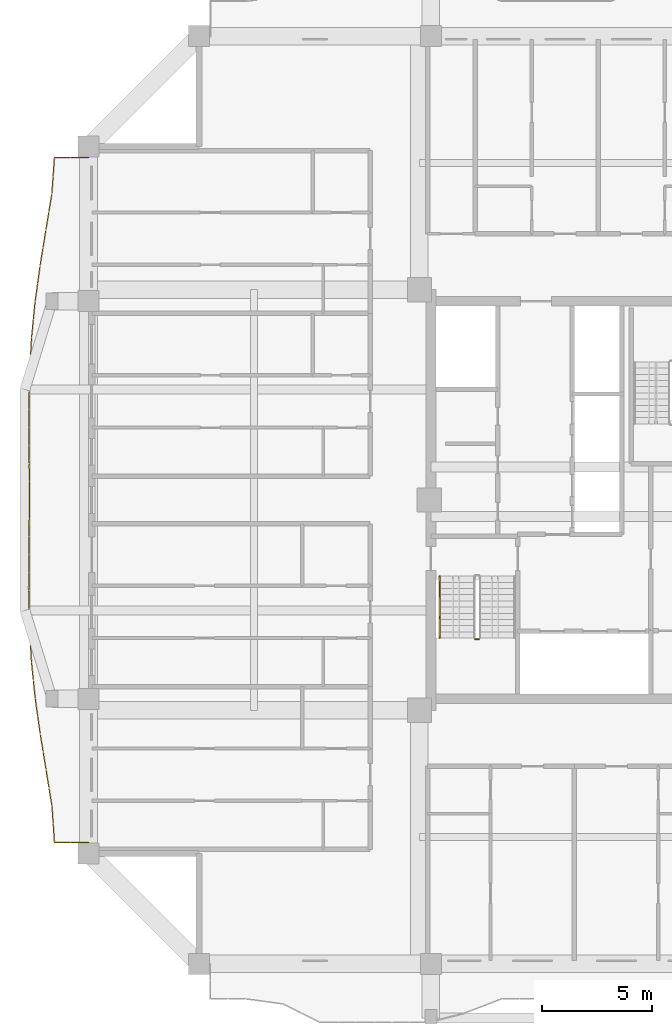
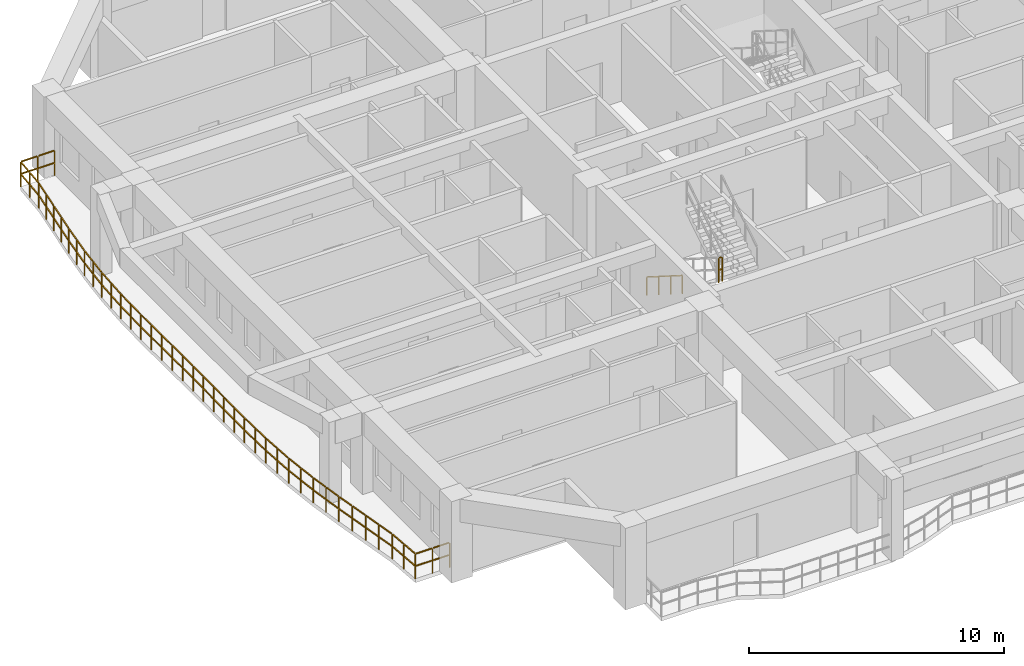
# One storey, part 12 of 15: 3 railings.
"""IFC4 building model written with IfcOpenShell, lengths in metres."""

from ifc_helpers import new_model, si_unit, direction, frame, origin, origin_2d, place, context, subcontext, project, spatial, rectangle, extrude, material, type_object, element, save


model = new_model("IFC4")

# Units and contexts
model_context = context("Model", 3, precision=1e-05, world=origin(), true_north=direction((0.0, 1.0)))
body_context = subcontext(model_context, "Body", "Model", "MODEL_VIEW")
ifc_project = project(units=[si_unit("LENGTHUNIT", "METRE"), si_unit("AREAUNIT", "SQUARE_METRE"), si_unit("VOLUMEUNIT", "CUBIC_METRE"), si_unit("PLANEANGLEUNIT", "RADIAN"), si_unit("MASSUNIT", "GRAM", prefix="KILO")], contexts=[model_context])

# Site, building, storey
site_placement = place(None, origin())
site = spatial("IfcSite", under=ifc_project, at=site_placement, CompositionType="ELEMENT")
building_placement = place(site_placement, origin())
building = spatial("IfcBuilding", under=site, at=building_placement, Name="Saelheon Loggia Tower", CompositionType="ELEMENT")
storey_placement = place(building_placement, frame((0.0, 0.0, 159.10009765625)))
storey = spatial("IfcBuildingStorey", under=building, at=storey_placement, Name="L50", CompositionType="ELEMENT", Elevation=159.10009765625)

# Railings
ifc_material_1 = material(Name="Architectural Precast Concrete and Laminated Glass Guard", Category="concrete")
railing_type_1 = type_object("IfcRailingType", Name="Guard_Loggia_RL_LOG", PredefinedType="BALUSTRADE", material=ifc_material_1)
railing_1_placement = place(storey_placement, frame((16.0, 42.5, 0.0)))
element("IfcRailing", 1, at=railing_1_placement, inside=storey, type_object=railing_type_1, Name="L50 West Loggia Balustrade", PredefinedType="BALUSTRADE", context=body_context, shape_type="SweptSolid", body=[
    extrude(rectangle(XDim=0.048095703125, YDim=0.048095703125, at=origin_2d()), frame((-0.033203125, 0.0, 1.19580078125), z_axis=(-1.0, 0.0, 0.0), x_axis=(0.0, -1.0, 0.0)), (0.0, 0.0, 1.0), 0.70849609375),
    extrude(rectangle(XDim=0.048095703125, YDim=0.048095703125, at=origin_2d()), frame((-0.033203125, 0.0, 0.60986328125), z_axis=(-1.0, 0.0, 0.0), x_axis=(0.0, -1.0, 0.0)), (0.0, 0.0, 1.0), 0.70849609375),
    extrude(rectangle(XDim=0.048095703125, YDim=0.048095703125, at=origin_2d()), frame((-0.808349609375, 0.0, 1.19580078125), z_axis=(-1.0, 0.0, 0.0), x_axis=(0.0, -1.0, 0.0)), (0.0, 0.0, 1.0), 0.70849609375),
    extrude(rectangle(XDim=0.048095703125, YDim=0.048095703125, at=origin_2d()), frame((-0.808349609375, 0.0, 0.60986328125), z_axis=(-1.0, 0.0, 0.0), x_axis=(0.0, -1.0, 0.0)), (0.0, 0.0, 1.0), 0.70849609375),
    extrude(rectangle(XDim=0.048095703125, YDim=0.048095703125, at=origin_2d()), frame((-1.552490234375, -0.033203125, 1.19580078125), z_axis=(-0.071491000488, -0.997441244811, 0.0), x_axis=(0.997441244811, -0.071491000488, 0.0)), (0.0, 0.0, 1.0), 0.75146484375),
    extrude(rectangle(XDim=0.048095703125, YDim=0.048095703125, at=origin_2d()), frame((-1.552490234375, -0.033203125, 0.60986328125), z_axis=(-0.071491000488, -0.997441244811, 0.0), x_axis=(0.997441244811, -0.071491000488, 0.0)), (0.0, 0.0, 1.0), 0.75146484375),
    extrude(rectangle(XDim=0.048095703125, YDim=0.048095703125, at=origin_2d()), frame((-1.61083984375, -0.848876953125, 1.19580078125), z_axis=(-0.071491000488, -0.997441244811, 0.0), x_axis=(0.997441244811, -0.071491000488, 0.0)), (0.0, 0.0, 1.0), 0.75146484375),
    extrude(rectangle(XDim=0.048095703125, YDim=0.048095703125, at=origin_2d()), frame((-1.61083984375, -0.848876953125, 0.60986328125), z_axis=(-0.071491000488, -0.997441244811, 0.0), x_axis=(0.997441244811, -0.071491000488, 0.0)), (0.0, 0.0, 1.0), 0.75146484375),
    extrude(rectangle(XDim=0.048095703125, YDim=0.048095703125, at=origin_2d()), frame((-1.67236328125, -1.664306640625, 1.19580078125), z_axis=(-0.161980105363, -0.98679402383, 0.0), x_axis=(0.98679402383, -0.161980105363, 0.0)), (0.0, 0.0, 1.0), 0.76025390625),
    extrude(rectangle(XDim=0.048095703125, YDim=0.048095703125, at=origin_2d()), frame((-1.67236328125, -1.664306640625, 0.60986328125), z_axis=(-0.161980105363, -0.98679402383, 0.0), x_axis=(0.98679402383, -0.161980105363, 0.0)), (0.0, 0.0, 1.0), 0.76025390625),
    extrude(rectangle(XDim=0.048095703125, YDim=0.048095703125, at=origin_2d()), frame((-1.806396484375, -2.480224609375, 1.19580078125), z_axis=(-0.161980105363, -0.98679402383, 0.0), x_axis=(0.98679402383, -0.161980105363, 0.0)), (0.0, 0.0, 1.0), 0.76025390625),
    extrude(rectangle(XDim=0.048095703125, YDim=0.048095703125, at=origin_2d()), frame((-1.806396484375, -2.480224609375, 0.60986328125), z_axis=(-0.161980105363, -0.98679402383, 0.0), x_axis=(0.98679402383, -0.161980105363, 0.0)), (0.0, 0.0, 1.0), 0.76025390625),
    extrude(rectangle(XDim=0.048095703125, YDim=0.048095703125, at=origin_2d()), frame((-1.940185546875, -3.2958984375, 1.19580078125), z_axis=(-0.160685639946, -0.987005635807, 0.0), x_axis=(0.987005635807, -0.160685639946, 0.0)), (0.0, 0.0, 1.0), 0.760009765625),
    extrude(rectangle(XDim=0.048095703125, YDim=0.048095703125, at=origin_2d()), frame((-1.940185546875, -3.2958984375, 0.60986328125), z_axis=(-0.160685639946, -0.987005635807, 0.0), x_axis=(0.987005635807, -0.160685639946, 0.0)), (0.0, 0.0, 1.0), 0.760009765625),
    extrude(rectangle(XDim=0.048095703125, YDim=0.048095703125, at=origin_2d()), frame((-2.072998046875, -4.11181640625, 1.19580078125), z_axis=(-0.160685639946, -0.987005635807, 0.0), x_axis=(0.987005635807, -0.160685639946, 0.0)), (0.0, 0.0, 1.0), 0.760009765625),
    extrude(rectangle(XDim=0.048095703125, YDim=0.048095703125, at=origin_2d()), frame((-2.072998046875, -4.11181640625, 0.60986328125), z_axis=(-0.160685639946, -0.987005635807, 0.0), x_axis=(0.987005635807, -0.160685639946, 0.0)), (0.0, 0.0, 1.0), 0.760009765625),
    extrude(rectangle(XDim=0.048095703125, YDim=0.048095703125, at=origin_2d()), frame((-2.205078125, -4.927734375, 1.19580078125), z_axis=(-0.137394685749, -0.990516380646, 0.0), x_axis=(0.990516380646, -0.137394685749, 0.0)), (0.0, 0.0, 1.0), 0.757080078125),
    extrude(rectangle(XDim=0.048095703125, YDim=0.048095703125, at=origin_2d()), frame((-2.205078125, -4.927734375, 0.60986328125), z_axis=(-0.137394685749, -0.990516380646, 0.0), x_axis=(0.990516380646, -0.137394685749, 0.0)), (0.0, 0.0, 1.0), 0.757080078125),
    extrude(rectangle(XDim=0.048095703125, YDim=0.048095703125, at=origin_2d()), frame((-2.318115234375, -5.743408203125, 1.19580078125), z_axis=(-0.137394685749, -0.990516380646, 0.0), x_axis=(0.990516380646, -0.137394685749, 0.0)), (0.0, 0.0, 1.0), 0.757080078125),
    extrude(rectangle(XDim=0.048095703125, YDim=0.048095703125, at=origin_2d()), frame((-2.318115234375, -5.743408203125, 0.60986328125), z_axis=(-0.137394685749, -0.990516380646, 0.0), x_axis=(0.990516380646, -0.137394685749, 0.0)), (0.0, 0.0, 1.0), 0.757080078125),
    extrude(rectangle(XDim=0.048095703125, YDim=0.048095703125, at=origin_2d()), frame((-2.429931640625, -6.559326171875, 1.19580078125), z_axis=(-0.097542502009, -0.995231360188, 0.0), x_axis=(0.995231360188, -0.097542502009, 0.0)), (0.0, 0.0, 1.0), 0.753173828125),
    extrude(rectangle(XDim=0.048095703125, YDim=0.048095703125, at=origin_2d()), frame((-2.429931640625, -6.559326171875, 0.60986328125), z_axis=(-0.097542502009, -0.995231360188, 0.0), x_axis=(0.995231360188, -0.097542502009, 0.0)), (0.0, 0.0, 1.0), 0.753173828125),
    extrude(rectangle(XDim=0.048095703125, YDim=0.048095703125, at=origin_2d()), frame((-2.510009765625, -7.375244140625, 1.19580078125), z_axis=(-0.097542502009, -0.995231360188, 0.0), x_axis=(0.995231360188, -0.097542502009, 0.0)), (0.0, 0.0, 1.0), 0.753173828125),
    extrude(rectangle(XDim=0.048095703125, YDim=0.048095703125, at=origin_2d()), frame((-2.510009765625, -7.375244140625, 0.60986328125), z_axis=(-0.097542502009, -0.995231360188, 0.0), x_axis=(0.995231360188, -0.097542502009, 0.0)), (0.0, 0.0, 1.0), 0.753173828125),
    extrude(rectangle(XDim=0.048095703125, YDim=0.048095703125, at=origin_2d()), frame((-2.58837890625, -8.191162109375, 1.19580078125), z_axis=(-0.052598047159, -0.998615764664, 0.0), x_axis=(0.998615764664, -0.052598047159, 0.0)), (0.0, 0.0, 1.0), 0.75048828125),
    extrude(rectangle(XDim=0.048095703125, YDim=0.048095703125, at=origin_2d()), frame((-2.58837890625, -8.191162109375, 0.60986328125), z_axis=(-0.052598047159, -0.998615764664, 0.0), x_axis=(0.998615764664, -0.052598047159, 0.0)), (0.0, 0.0, 1.0), 0.75048828125),
    extrude(rectangle(XDim=0.048095703125, YDim=0.048095703125, at=origin_2d()), frame((-2.63134765625, -9.0068359375, 1.19580078125), z_axis=(-0.052598047159, -0.998615764664, 0.0), x_axis=(0.998615764664, -0.052598047159, 0.0)), (0.0, 0.0, 1.0), 0.75048828125),
    extrude(rectangle(XDim=0.048095703125, YDim=0.048095703125, at=origin_2d()), frame((-2.63134765625, -9.0068359375, 0.60986328125), z_axis=(-0.052598047159, -0.998615764664, 0.0), x_axis=(0.998615764664, -0.052598047159, 0.0)), (0.0, 0.0, 1.0), 0.75048828125),
    extrude(rectangle(XDim=0.048095703125, YDim=0.048095703125, at=origin_2d()), frame((-2.673095703125, -9.82275390625, 1.19580078125), z_axis=(-0.015859145444, -0.999874235845, 0.0), x_axis=(0.999874235845, -0.015859145444, 0.0)), (0.0, 0.0, 1.0), 0.74951171875),
    extrude(rectangle(XDim=0.048095703125, YDim=0.048095703125, at=origin_2d()), frame((-2.673095703125, -9.82275390625, 0.60986328125), z_axis=(-0.015859145444, -0.999874235845, 0.0), x_axis=(0.999874235845, -0.015859145444, 0.0)), (0.0, 0.0, 1.0), 0.74951171875),
    extrude(rectangle(XDim=0.048095703125, YDim=0.048095703125, at=origin_2d()), frame((-2.68603515625, -10.638671875, 1.19580078125), z_axis=(-0.015859145444, -0.999874235845, 0.0), x_axis=(0.999874235845, -0.015859145444, 0.0)), (0.0, 0.0, 1.0), 0.74951171875),
    extrude(rectangle(XDim=0.048095703125, YDim=0.048095703125, at=origin_2d()), frame((-2.68603515625, -10.638671875, 0.60986328125), z_axis=(-0.015859145444, -0.999874235845, 0.0), x_axis=(0.999874235845, -0.015859145444, 0.0)), (0.0, 0.0, 1.0), 0.74951171875),
    extrude(rectangle(XDim=0.048095703125, YDim=0.048095703125, at=origin_2d()), frame((-2.6982421875, -11.454345703125, 1.19580078125), z_axis=(0.004339977086, -0.999990582255, 0.0), x_axis=(0.999990582255, 0.004339977086, 0.0)), (0.0, 0.0, 1.0), 0.749267578125),
    extrude(rectangle(XDim=0.048095703125, YDim=0.048095703125, at=origin_2d()), frame((-2.6982421875, -11.454345703125, 0.60986328125), z_axis=(0.004339977086, -0.999990582255, 0.0), x_axis=(0.999990582255, 0.004339977086, 0.0)), (0.0, 0.0, 1.0), 0.749267578125),
    extrude(rectangle(XDim=0.048095703125, YDim=0.048095703125, at=origin_2d()), frame((-2.69482421875, -12.27001953125, 1.19580078125), z_axis=(0.004339977086, -0.999990582255, 0.0), x_axis=(0.999990582255, 0.004339977086, 0.0)), (0.0, 0.0, 1.0), 0.749267578125),
    extrude(rectangle(XDim=0.048095703125, YDim=0.048095703125, at=origin_2d()), frame((-2.69482421875, -12.27001953125, 0.60986328125), z_axis=(0.004339977086, -0.999990582255, 0.0), x_axis=(0.999990582255, 0.004339977086, 0.0)), (0.0, 0.0, 1.0), 0.749267578125),
    extrude(rectangle(XDim=0.048095703125, YDim=0.048095703125, at=origin_2d()), frame((-2.691162109375, -13.085693359375, 1.19580078125), z_axis=(0.006583726828, -0.999978327036, 0.0), x_axis=(0.999978327036, 0.006583726828, 0.0)), (0.0, 0.0, 1.0), 0.749267578125),
    extrude(rectangle(XDim=0.048095703125, YDim=0.048095703125, at=origin_2d()), frame((-2.691162109375, -13.085693359375, 0.60986328125), z_axis=(0.006583726828, -0.999978327036, 0.0), x_axis=(0.999978327036, 0.006583726828, 0.0)), (0.0, 0.0, 1.0), 0.749267578125),
    extrude(rectangle(XDim=0.048095703125, YDim=0.048095703125, at=origin_2d()), frame((-2.685791015625, -13.901611328125, 1.19580078125), z_axis=(0.006583726828, -0.999978327036, 0.0), x_axis=(0.999978327036, 0.006583726828, 0.0)), (0.0, 0.0, 1.0), 0.749267578125),
    extrude(rectangle(XDim=0.048095703125, YDim=0.048095703125, at=origin_2d()), frame((-2.685791015625, -13.901611328125, 0.60986328125), z_axis=(0.006583726828, -0.999978327036, 0.0), x_axis=(0.999978327036, 0.006583726828, 0.0)), (0.0, 0.0, 1.0), 0.749267578125),
    extrude(rectangle(XDim=0.048095703125, YDim=0.048095703125, at=origin_2d()), frame((-2.6806640625, -14.71728515625, 1.19580078125), z_axis=(-0.001944939469, -0.999998108603, 0.0), x_axis=(0.999998108603, -0.001944939469, 0.0)), (0.0, 0.0, 1.0), 0.74951171875),
    extrude(rectangle(XDim=0.048095703125, YDim=0.048095703125, at=origin_2d()), frame((-2.6806640625, -14.71728515625, 0.60986328125), z_axis=(-0.001944939469, -0.999998108603, 0.0), x_axis=(0.999998108603, -0.001944939469, 0.0)), (0.0, 0.0, 1.0), 0.74951171875),
    extrude(rectangle(XDim=0.048095703125, YDim=0.048095703125, at=origin_2d()), frame((-2.682373046875, -15.533203125, 1.19580078125), z_axis=(-0.001944939469, -0.999998108603, 0.0), x_axis=(0.999998108603, -0.001944939469, 0.0)), (0.0, 0.0, 1.0), 0.74951171875),
    extrude(rectangle(XDim=0.048095703125, YDim=0.048095703125, at=origin_2d()), frame((-2.682373046875, -15.533203125, 0.60986328125), z_axis=(-0.001944939469, -0.999998108603, 0.0), x_axis=(0.999998108603, -0.001944939469, 0.0)), (0.0, 0.0, 1.0), 0.74951171875),
    extrude(rectangle(XDim=0.048095703125, YDim=0.048095703125, at=origin_2d()), frame((-2.68408203125, -16.34912109375, 1.19580078125), z_axis=(-0.009725710874, -0.999952704156, 0.0), x_axis=(0.999952704156, -0.009725710874, 0.0)), (0.0, 0.0, 1.0), 0.749267578125),
    extrude(rectangle(XDim=0.048095703125, YDim=0.048095703125, at=origin_2d()), frame((-2.68408203125, -16.34912109375, 0.60986328125), z_axis=(-0.009725710874, -0.999952704156, 0.0), x_axis=(0.999952704156, -0.009725710874, 0.0)), (0.0, 0.0, 1.0), 0.749267578125),
    extrude(rectangle(XDim=0.048095703125, YDim=0.048095703125, at=origin_2d()), frame((-2.692138671875, -17.1650390625, 1.19580078125), z_axis=(-0.009725710874, -0.999952704156, 0.0), x_axis=(0.999952704156, -0.009725710874, 0.0)), (0.0, 0.0, 1.0), 0.749267578125),
    extrude(rectangle(XDim=0.048095703125, YDim=0.048095703125, at=origin_2d()), frame((-2.692138671875, -17.1650390625, 0.60986328125), z_axis=(-0.009725710874, -0.999952704156, 0.0), x_axis=(0.999952704156, -0.009725710874, 0.0)), (0.0, 0.0, 1.0), 0.749267578125),
    extrude(rectangle(XDim=0.048095703125, YDim=0.048095703125, at=origin_2d()), frame((-2.699951171875, -17.980712890625, 1.19580078125), z_axis=(-0.005237880856, -0.999986282208, 0.0), x_axis=(0.999986282208, -0.005237880856, 0.0)), (0.0, 0.0, 1.0), 0.749267578125),
    extrude(rectangle(XDim=0.048095703125, YDim=0.048095703125, at=origin_2d()), frame((-2.699951171875, -17.980712890625, 0.60986328125), z_axis=(-0.005237880856, -0.999986282208, 0.0), x_axis=(0.999986282208, -0.005237880856, 0.0)), (0.0, 0.0, 1.0), 0.749267578125),
    extrude(rectangle(XDim=0.048095703125, YDim=0.048095703125, at=origin_2d()), frame((-2.7041015625, -18.79638671875, 1.19580078125), z_axis=(-0.005237880856, -0.999986282208, 0.0), x_axis=(0.999986282208, -0.005237880856, 0.0)), (0.0, 0.0, 1.0), 0.749267578125),
    extrude(rectangle(XDim=0.048095703125, YDim=0.048095703125, at=origin_2d()), frame((-2.7041015625, -18.79638671875, 0.60986328125), z_axis=(-0.005237880856, -0.999986282208, 0.0), x_axis=(0.999986282208, -0.005237880856, 0.0)), (0.0, 0.0, 1.0), 0.749267578125),
    extrude(rectangle(XDim=0.048095703125, YDim=0.048095703125, at=origin_2d()), frame((-2.707763671875, -19.612060546875, 1.19580078125), z_axis=(0.017354860032, -0.999849393075, 0.0), x_axis=(0.999849393075, 0.017354860032, 0.0)), (0.0, 0.0, 1.0), 0.74951171875),
    extrude(rectangle(XDim=0.048095703125, YDim=0.048095703125, at=origin_2d()), frame((-2.707763671875, -19.612060546875, 0.60986328125), z_axis=(0.017354860032, -0.999849393075, 0.0), x_axis=(0.999849393075, 0.017354860032, 0.0)), (0.0, 0.0, 1.0), 0.74951171875),
    extrude(rectangle(XDim=0.048095703125, YDim=0.048095703125, at=origin_2d()), frame((-2.693603515625, -20.427978515625, 1.19580078125), z_axis=(0.017354860032, -0.999849393075, 0.0), x_axis=(0.999849393075, 0.017354860032, 0.0)), (0.0, 0.0, 1.0), 0.74951171875),
    extrude(rectangle(XDim=0.048095703125, YDim=0.048095703125, at=origin_2d()), frame((-2.693603515625, -20.427978515625, 0.60986328125), z_axis=(0.017354860032, -0.999849393075, 0.0), x_axis=(0.999849393075, 0.017354860032, 0.0)), (0.0, 0.0, 1.0), 0.74951171875),
    extrude(rectangle(XDim=0.048095703125, YDim=0.048095703125, at=origin_2d()), frame((-2.677978515625, -21.24365234375, 1.19580078125), z_axis=(0.056024393999, -0.998429400247, 0.0), x_axis=(0.998429400247, 0.056024393999, 0.0)), (0.0, 0.0, 1.0), 0.750732421875),
    extrude(rectangle(XDim=0.048095703125, YDim=0.048095703125, at=origin_2d()), frame((-2.677978515625, -21.24365234375, 0.60986328125), z_axis=(0.056024393999, -0.998429400247, 0.0), x_axis=(0.998429400247, 0.056024393999, 0.0)), (0.0, 0.0, 1.0), 0.750732421875),
    extrude(rectangle(XDim=0.048095703125, YDim=0.048095703125, at=origin_2d()), frame((-2.63232421875, -22.059326171875, 1.19580078125), z_axis=(0.056024393999, -0.998429400247, 0.0), x_axis=(0.998429400247, 0.056024393999, 0.0)), (0.0, 0.0, 1.0), 0.750732421875),
    extrude(rectangle(XDim=0.048095703125, YDim=0.048095703125, at=origin_2d()), frame((-2.63232421875, -22.059326171875, 0.60986328125), z_axis=(0.056024393999, -0.998429400247, 0.0), x_axis=(0.998429400247, 0.056024393999, 0.0)), (0.0, 0.0, 1.0), 0.750732421875),
    extrude(rectangle(XDim=0.048095703125, YDim=0.048095703125, at=origin_2d()), frame((-2.5849609375, -22.875, 1.19580078125), z_axis=(0.101228042651, -0.994863248583, 0.0), x_axis=(0.994863248583, 0.101228042651, 0.0)), (0.0, 0.0, 1.0), 0.75341796875),
    extrude(rectangle(XDim=0.048095703125, YDim=0.048095703125, at=origin_2d()), frame((-2.5849609375, -22.875, 0.60986328125), z_axis=(0.101228042651, -0.994863248583, 0.0), x_axis=(0.994863248583, 0.101228042651, 0.0)), (0.0, 0.0, 1.0), 0.75341796875),
    extrude(rectangle(XDim=0.048095703125, YDim=0.048095703125, at=origin_2d()), frame((-2.501953125, -23.69091796875, 1.19580078125), z_axis=(0.101228042651, -0.994863248583, 0.0), x_axis=(0.994863248583, 0.101228042651, 0.0)), (0.0, 0.0, 1.0), 0.75341796875),
    extrude(rectangle(XDim=0.048095703125, YDim=0.048095703125, at=origin_2d()), frame((-2.501953125, -23.69091796875, 0.60986328125), z_axis=(0.101228042651, -0.994863248583, 0.0), x_axis=(0.994863248583, 0.101228042651, 0.0)), (0.0, 0.0, 1.0), 0.75341796875),
    extrude(rectangle(XDim=0.048095703125, YDim=0.048095703125, at=origin_2d()), frame((-2.417724609375, -24.506591796875, 1.19580078125), z_axis=(0.140010734184, -0.990149985766, 0.0), x_axis=(0.990149985766, 0.140010734184, 0.0)), (0.0, 0.0, 1.0), 0.75732421875),
    extrude(rectangle(XDim=0.048095703125, YDim=0.048095703125, at=origin_2d()), frame((-2.417724609375, -24.506591796875, 0.60986328125), z_axis=(0.140010734184, -0.990149985766, 0.0), x_axis=(0.990149985766, 0.140010734184, 0.0)), (0.0, 0.0, 1.0), 0.75732421875),
    extrude(rectangle(XDim=0.048095703125, YDim=0.048095703125, at=origin_2d()), frame((-2.30224609375, -25.322265625, 1.19580078125), z_axis=(0.140010734184, -0.990149985766, 0.0), x_axis=(0.990149985766, 0.140010734184, 0.0)), (0.0, 0.0, 1.0), 0.75732421875),
    extrude(rectangle(XDim=0.048095703125, YDim=0.048095703125, at=origin_2d()), frame((-2.30224609375, -25.322265625, 0.60986328125), z_axis=(0.140010734184, -0.990149985766, 0.0), x_axis=(0.990149985766, 0.140010734184, 0.0)), (0.0, 0.0, 1.0), 0.75732421875),
    extrude(rectangle(XDim=0.048095703125, YDim=0.048095703125, at=origin_2d()), frame((-2.186279296875, -26.137939453125, 1.19580078125), z_axis=(0.161117220902, -0.986935277072, 0.0), x_axis=(0.986935277072, 0.161117220902, 0.0)), (0.0, 0.0, 1.0), 0.760009765625),
    extrude(rectangle(XDim=0.048095703125, YDim=0.048095703125, at=origin_2d()), frame((-2.186279296875, -26.137939453125, 0.60986328125), z_axis=(0.161117220902, -0.986935277072, 0.0), x_axis=(0.986935277072, 0.161117220902, 0.0)), (0.0, 0.0, 1.0), 0.760009765625),
    extrude(rectangle(XDim=0.048095703125, YDim=0.048095703125, at=origin_2d()), frame((-2.05322265625, -26.953857421875, 1.19580078125), z_axis=(0.161117220902, -0.986935277072, 0.0), x_axis=(0.986935277072, 0.161117220902, 0.0)), (0.0, 0.0, 1.0), 0.760009765625),
    extrude(rectangle(XDim=0.048095703125, YDim=0.048095703125, at=origin_2d()), frame((-2.05322265625, -26.953857421875, 0.60986328125), z_axis=(0.161117220902, -0.986935277072, 0.0), x_axis=(0.986935277072, 0.161117220902, 0.0)), (0.0, 0.0, 1.0), 0.760009765625),
    extrude(rectangle(XDim=0.048095703125, YDim=0.048095703125, at=origin_2d()), frame((-1.919921875, -27.76953125, 1.19580078125), z_axis=(0.160110055306, -0.98709916938, 0.0), x_axis=(0.98709916938, 0.160110055306, 0.0)), (0.0, 0.0, 1.0), 0.760009765625),
    extrude(rectangle(XDim=0.048095703125, YDim=0.048095703125, at=origin_2d()), frame((-1.919921875, -27.76953125, 0.60986328125), z_axis=(0.160110055306, -0.98709916938, 0.0), x_axis=(0.98709916938, 0.160110055306, 0.0)), (0.0, 0.0, 1.0), 0.760009765625),
    extrude(rectangle(XDim=0.048095703125, YDim=0.048095703125, at=origin_2d()), frame((-1.78759765625, -28.58544921875, 1.19580078125), z_axis=(0.160110055306, -0.98709916938, 0.0), x_axis=(0.98709916938, 0.160110055306, 0.0)), (0.0, 0.0, 1.0), 0.760009765625),
    extrude(rectangle(XDim=0.048095703125, YDim=0.048095703125, at=origin_2d()), frame((-1.78759765625, -28.58544921875, 0.60986328125), z_axis=(0.160110055306, -0.98709916938, 0.0), x_axis=(0.98709916938, 0.160110055306, 0.0)), (0.0, 0.0, 1.0), 0.760009765625),
    extrude(rectangle(XDim=0.048095703125, YDim=0.048095703125, at=origin_2d()), frame((-1.658447265625, -29.401611328125, 1.19580078125), z_axis=(0.067628741853, -0.99771055586, 0.0), x_axis=(0.99771055586, 0.067628741853, 0.0)), (0.0, 0.0, 1.0), 0.751220703125),
    extrude(rectangle(XDim=0.048095703125, YDim=0.048095703125, at=origin_2d()), frame((-1.658447265625, -29.401611328125, 0.60986328125), z_axis=(0.067628741853, -0.99771055586, 0.0), x_axis=(0.99771055586, 0.067628741853, 0.0)), (0.0, 0.0, 1.0), 0.751220703125),
    extrude(rectangle(XDim=0.048095703125, YDim=0.048095703125, at=origin_2d()), frame((-1.60302734375, -30.21728515625, 1.19580078125), z_axis=(0.067628741853, -0.99771055586, 0.0), x_axis=(0.99771055586, 0.067628741853, 0.0)), (0.0, 0.0, 1.0), 0.751220703125),
    extrude(rectangle(XDim=0.048095703125, YDim=0.048095703125, at=origin_2d()), frame((-1.60302734375, -30.21728515625, 0.60986328125), z_axis=(0.067628741853, -0.99771055586, 0.0), x_axis=(0.99771055586, 0.067628741853, 0.0)), (0.0, 0.0, 1.0), 0.751220703125),
    extrude(rectangle(XDim=0.048095703125, YDim=0.048095703125, at=origin_2d()), frame((-1.516845703125, -31.0, 1.19580078125), z_axis=(1.0, 0.0, 0.0), x_axis=(0.0, 1.0, 0.0)), (0.0, 0.0, 1.0), 0.70849609375),
    extrude(rectangle(XDim=0.048095703125, YDim=0.048095703125, at=origin_2d()), frame((-1.516845703125, -31.0, 0.60986328125), z_axis=(1.0, 0.0, 0.0), x_axis=(0.0, 1.0, 0.0)), (0.0, 0.0, 1.0), 0.70849609375),
    extrude(rectangle(XDim=0.048095703125, YDim=0.048095703125, at=origin_2d()), frame((-0.74169921875, -31.0, 1.19580078125), z_axis=(1.0, 0.0, 0.0), x_axis=(0.0, 1.0, 0.0)), (0.0, 0.0, 1.0), 0.70849609375),
    extrude(rectangle(XDim=0.048095703125, YDim=0.048095703125, at=origin_2d()), frame((-0.74169921875, -31.0, 0.60986328125), z_axis=(1.0, 0.0, 0.0), x_axis=(0.0, 1.0, 0.0)), (0.0, 0.0, 1.0), 0.70849609375),
    extrude(rectangle(XDim=0.0419921875, YDim=0.0419921875, at=origin_2d()), origin(), (0.0, 0.0, 1.0), 1.16796875),
    extrude(rectangle(XDim=0.0419921875, YDim=0.0419921875, at=origin_2d()), frame((-0.77490234375, 0.0, 0.0)), (0.0, 0.0, 1.0), 1.16796875),
    extrude(rectangle(XDim=0.0419921875, YDim=0.0419921875, at=origin_2d()), frame((-1.550048828125, 0.0, 0.0)), (0.0, 0.0, 1.0), 1.16796875),
    extrude(rectangle(XDim=0.0419921875, YDim=0.0419921875, at=origin_2d()), frame((-1.6083984375, -0.81591796875, 0.0)), (0.0, 0.0, 1.0), 1.16796875),
    extrude(rectangle(XDim=0.0419921875, YDim=0.0419921875, at=origin_2d()), frame((-1.6669921875, -1.631591796875, 0.0)), (0.0, 0.0, 1.0), 1.16796875),
    extrude(rectangle(XDim=0.0419921875, YDim=0.0419921875, at=origin_2d()), frame((-1.80078125, -2.447265625, 0.0)), (0.0, 0.0, 1.0), 1.16796875),
    extrude(rectangle(XDim=0.0419921875, YDim=0.0419921875, at=origin_2d()), frame((-1.934814453125, -3.26318359375, 0.0)), (0.0, 0.0, 1.0), 1.16796875),
    extrude(rectangle(XDim=0.0419921875, YDim=0.0419921875, at=origin_2d()), frame((-2.067626953125, -4.0791015625, 0.0)), (0.0, 0.0, 1.0), 1.16796875),
    extrude(rectangle(XDim=0.0419921875, YDim=0.0419921875, at=origin_2d()), frame((-2.200439453125, -4.894775390625, 0.0)), (0.0, 0.0, 1.0), 1.16796875),
    extrude(rectangle(XDim=0.0419921875, YDim=0.0419921875, at=origin_2d()), frame((-2.3134765625, -5.71044921875, 0.0)), (0.0, 0.0, 1.0), 1.16796875),
    extrude(rectangle(XDim=0.0419921875, YDim=0.0419921875, at=origin_2d()), frame((-2.4267578125, -6.5263671875, 0.0)), (0.0, 0.0, 1.0), 1.16796875),
    extrude(rectangle(XDim=0.0419921875, YDim=0.0419921875, at=origin_2d()), frame((-2.5068359375, -7.34228515625, 0.0)), (0.0, 0.0, 1.0), 1.16796875),
    extrude(rectangle(XDim=0.0419921875, YDim=0.0419921875, at=origin_2d()), frame((-2.586669921875, -8.157958984375, 0.0)), (0.0, 0.0, 1.0), 1.16796875),
    extrude(rectangle(XDim=0.0419921875, YDim=0.0419921875, at=origin_2d()), frame((-2.629638671875, -8.9736328125, 0.0)), (0.0, 0.0, 1.0), 1.16796875),
    extrude(rectangle(XDim=0.0419921875, YDim=0.0419921875, at=origin_2d()), frame((-2.672607421875, -9.78955078125, 0.0)), (0.0, 0.0, 1.0), 1.16796875),
    extrude(rectangle(XDim=0.0419921875, YDim=0.0419921875, at=origin_2d()), frame((-2.685546875, -10.60546875, 0.0)), (0.0, 0.0, 1.0), 1.16796875),
    extrude(rectangle(XDim=0.0419921875, YDim=0.0419921875, at=origin_2d()), frame((-2.698486328125, -11.421142578125, 0.0)), (0.0, 0.0, 1.0), 1.16796875),
    extrude(rectangle(XDim=0.0419921875, YDim=0.0419921875, at=origin_2d()), frame((-2.69482421875, -12.23681640625, 0.0)), (0.0, 0.0, 1.0), 1.16796875),
    extrude(rectangle(XDim=0.0419921875, YDim=0.0419921875, at=origin_2d()), frame((-2.69140625, -13.052490234375, 0.0)), (0.0, 0.0, 1.0), 1.16796875),
    extrude(rectangle(XDim=0.0419921875, YDim=0.0419921875, at=origin_2d()), frame((-2.68603515625, -13.8681640625, 0.0)), (0.0, 0.0, 1.0), 1.16796875),
    extrude(rectangle(XDim=0.0419921875, YDim=0.0419921875, at=origin_2d()), frame((-2.6806640625, -14.68408203125, 0.0)), (0.0, 0.0, 1.0), 1.16796875),
    extrude(rectangle(XDim=0.0419921875, YDim=0.0419921875, at=origin_2d()), frame((-2.68212890625, -15.5, 0.0)), (0.0, 0.0, 1.0), 1.16796875),
    extrude(rectangle(XDim=0.0419921875, YDim=0.0419921875, at=origin_2d()), frame((-2.683837890625, -16.31591796875, 0.0)), (0.0, 0.0, 1.0), 1.16796875),
    extrude(rectangle(XDim=0.0419921875, YDim=0.0419921875, at=origin_2d()), frame((-2.69189453125, -17.1318359375, 0.0)), (0.0, 0.0, 1.0), 1.16796875),
    extrude(rectangle(XDim=0.0419921875, YDim=0.0419921875, at=origin_2d()), frame((-2.69970703125, -17.947509765625, 0.0)), (0.0, 0.0, 1.0), 1.16796875),
    extrude(rectangle(XDim=0.0419921875, YDim=0.0419921875, at=origin_2d()), frame((-2.7041015625, -18.76318359375, 0.0)), (0.0, 0.0, 1.0), 1.16796875),
    extrude(rectangle(XDim=0.0419921875, YDim=0.0419921875, at=origin_2d()), frame((-2.708251953125, -19.578857421875, 0.0)), (0.0, 0.0, 1.0), 1.16796875),
    extrude(rectangle(XDim=0.0419921875, YDim=0.0419921875, at=origin_2d()), frame((-2.694091796875, -20.39453125, 0.0)), (0.0, 0.0, 1.0), 1.16796875),
    extrude(rectangle(XDim=0.0419921875, YDim=0.0419921875, at=origin_2d()), frame((-2.679931640625, -21.21044921875, 0.0)), (0.0, 0.0, 1.0), 1.16796875),
    extrude(rectangle(XDim=0.0419921875, YDim=0.0419921875, at=origin_2d()), frame((-2.63427734375, -22.0263671875, 0.0)), (0.0, 0.0, 1.0), 1.16796875),
    extrude(rectangle(XDim=0.0419921875, YDim=0.0419921875, at=origin_2d()), frame((-2.58837890625, -22.842041015625, 0.0)), (0.0, 0.0, 1.0), 1.16796875),
    extrude(rectangle(XDim=0.0419921875, YDim=0.0419921875, at=origin_2d()), frame((-2.50537109375, -23.65771484375, 0.0)), (0.0, 0.0, 1.0), 1.16796875),
    extrude(rectangle(XDim=0.0419921875, YDim=0.0419921875, at=origin_2d()), frame((-2.42236328125, -24.4736328125, 0.0)), (0.0, 0.0, 1.0), 1.16796875),
    extrude(rectangle(XDim=0.0419921875, YDim=0.0419921875, at=origin_2d()), frame((-2.30712890625, -25.28955078125, 0.0)), (0.0, 0.0, 1.0), 1.16796875),
    extrude(rectangle(XDim=0.0419921875, YDim=0.0419921875, at=origin_2d()), frame((-2.191650390625, -26.105224609375, 0.0)), (0.0, 0.0, 1.0), 1.16796875),
    extrude(rectangle(XDim=0.0419921875, YDim=0.0419921875, at=origin_2d()), frame((-2.05859375, -26.9208984375, 0.0)), (0.0, 0.0, 1.0), 1.16796875),
    extrude(rectangle(XDim=0.0419921875, YDim=0.0419921875, at=origin_2d()), frame((-1.92529296875, -27.73681640625, 0.0)), (0.0, 0.0, 1.0), 1.16796875),
    extrude(rectangle(XDim=0.0419921875, YDim=0.0419921875, at=origin_2d()), frame((-1.79296875, -28.552734375, 0.0)), (0.0, 0.0, 1.0), 1.16796875),
    extrude(rectangle(XDim=0.0419921875, YDim=0.0419921875, at=origin_2d()), frame((-1.66064453125, -29.368408203125, 0.0)), (0.0, 0.0, 1.0), 1.16796875),
    extrude(rectangle(XDim=0.0419921875, YDim=0.0419921875, at=origin_2d()), frame((-1.60546875, -30.18408203125, 0.0)), (0.0, 0.0, 1.0), 1.16796875),
    extrude(rectangle(XDim=0.0419921875, YDim=0.0419921875, at=origin_2d()), frame((-1.550048828125, -31.0, 0.0)), (0.0, 0.0, 1.0), 1.16796875),
    extrude(rectangle(XDim=0.0419921875, YDim=0.0419921875, at=origin_2d()), frame((-0.77490234375, -31.0, 0.0)), (0.0, 0.0, 1.0), 1.16796875),
    extrude(rectangle(XDim=0.0419921875, YDim=0.0419921875, at=origin_2d()), frame((0.0, -31.0, 0.0)), (0.0, 0.0, 1.0), 1.16796875),
])
ifc_material_2 = material(Name="Galvanised Steel S275 Stairwell Guardrail", Category="steel")
railing_type_2 = type_object("IfcRailingType", Name="Guard_StairWell_RL_STG", PredefinedType="GUARDRAIL", material=ifc_material_2)
railing_2_placement = place(storey_placement, frame((33.510009765625, 20.699951171875, 1.949951171875)))
element("IfcRailing", 2, at=railing_2_placement, inside=storey, type_object=railing_type_2, Name="L50 ST1 stair guard 2", PredefinedType="GUARDRAIL", context=body_context, shape_type="SweptSolid", body=[
    extrude(rectangle(XDim=0.048095703125, YDim=0.048095703125, at=origin_2d()), frame((0.033203125, 0.0, 1.17578125), z_axis=(1.0, 0.0, 0.0), x_axis=(0.0, 1.0, 0.0)), (0.0, 0.0, 1.0), 0.093505859375),
    extrude(rectangle(XDim=0.048095703125, YDim=0.048095703125, at=origin_2d()), frame((0.033203125, 0.0, 0.60009765625), z_axis=(1.0, 0.0, 0.0), x_axis=(0.0, 1.0, 0.0)), (0.0, 0.0, 1.0), 0.093505859375),
    extrude(rectangle(XDim=0.0419921875, YDim=0.0419921875, at=origin_2d()), origin(), (0.0, 0.0, 1.0), 1.14794921875),
    extrude(rectangle(XDim=0.0419921875, YDim=0.0419921875, at=origin_2d()), frame((0.159912109375, 0.0, 0.0)), (0.0, 0.0, 1.0), 1.14794921875),
])
ifc_material_3 = material(Name="Stainless Steel 304 Tubular Handrail", Category="steel")
railing_type_3 = type_object("IfcRailingType", Name="Handrail_Stair_RL_HR1", PredefinedType="HANDRAIL", material=ifc_material_3)
railing_3_placement = place(storey_placement, frame((31.89990234375, 23.550048828125, 0.17724609375)))
element("IfcRailing", 3, at=railing_3_placement, inside=storey, type_object=railing_type_3, Name="L50 ST1 stair handrail 1", PredefinedType="HANDRAIL", context=body_context, shape_type="SweptSolid", body=[
    extrude(rectangle(XDim=0.048095703125, YDim=0.048095703125, at=origin_2d()), frame((0.0, -0.028076171875, 0.8935546875), z_axis=(0.0, -0.844908973607, 0.534910110503), x_axis=(1.0, 0.0, 0.0)), (0.0, 0.0, 1.0), 1.0380859375),
    extrude(rectangle(XDim=0.048095703125, YDim=0.048095703125, at=origin_2d()), frame((0.0, -0.96142578125, 1.484619140625), z_axis=(0.0, -0.844908973607, 0.534910110503), x_axis=(1.0, 0.0, 0.0)), (0.0, 0.0, 1.0), 1.0380859375),
    extrude(rectangle(XDim=0.048095703125, YDim=0.048095703125, at=origin_2d()), frame((0.0, -1.894775390625, 2.075439453125), z_axis=(0.0, -0.844908973607, 0.534910110503), x_axis=(1.0, 0.0, 0.0)), (0.0, 0.0, 1.0), 1.0380859375),
    extrude(rectangle(XDim=0.0419921875, YDim=0.0419921875, at=origin_2d()), origin(), (0.0, 0.0, 1.0), 0.847900390625),
    extrude(rectangle(XDim=0.0419921875, YDim=0.0419921875, at=origin_2d()), frame((0.0, -0.933349609375, 0.5908203125)), (0.0, 0.0, 1.0), 0.847900390625),
    extrude(rectangle(XDim=0.0419921875, YDim=0.0419921875, at=origin_2d()), frame((0.0, -1.86669921875, 1.181884765625)), (0.0, 0.0, 1.0), 0.847900390625),
    extrude(rectangle(XDim=0.0419921875, YDim=0.0419921875, at=origin_2d()), frame((0.0, -2.800048828125, 1.772705078125)), (0.0, 0.0, 1.0), 0.847900390625),
])

save(model, "model.ifc")
